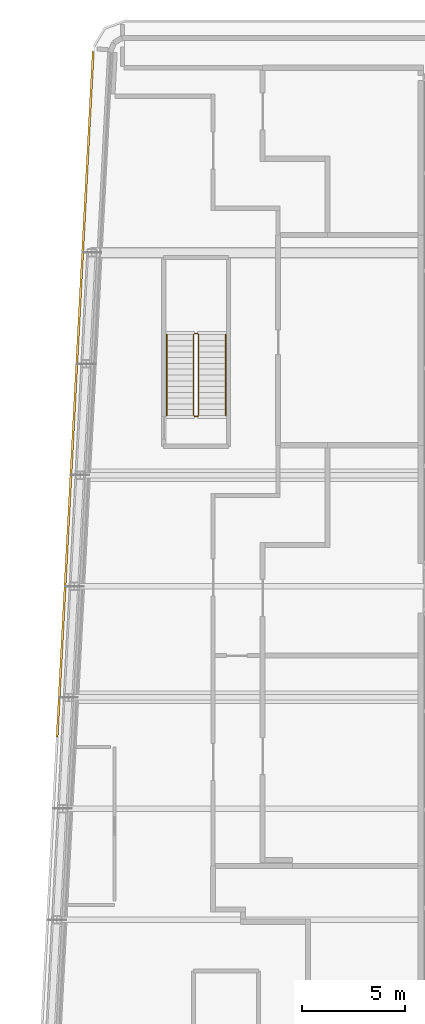
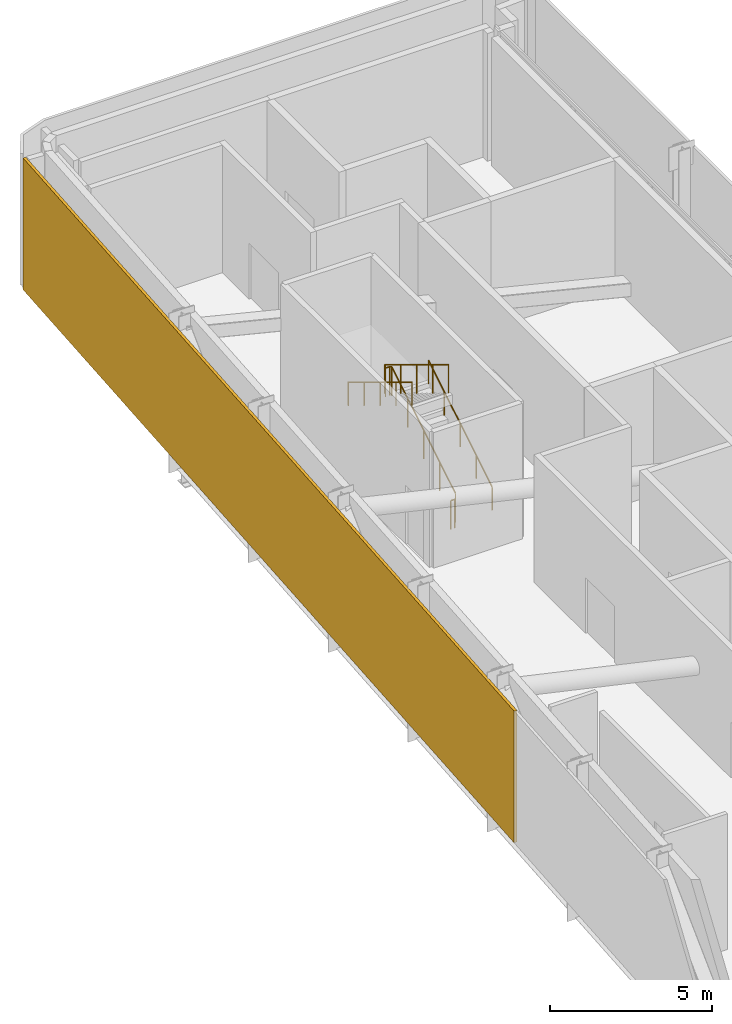
# One storey, part 22 of 23: 4 railings, 1 shading device.
"""IFC4 building model written with IfcOpenShell, lengths in metres."""

import ifcopenshell
import ifcopenshell.guid

model = None  # the IFC model being written
_history = None  # IfcOwnerHistory: only IFC2X3 demands one
_inside = {}  # id of a spatial element -> (the spatial element, [elements in it])
_under = {}  # id of a project, library or spatial element -> (it, [spatial elements below it])
_declared = {}  # id of a project -> (the project, [libraries it declares])
_typed = {}  # id of a type object -> (the type object, [elements of that type])
_made_of = {}  # id of a material, layer set ... -> (it, [elements and type objects made of it])


def new_model(schema):
    """Start an empty IFC model of exactly this schema.

    Asked for "IFC4X3", IfcOpenShell would pick the latest addendum, in which some entities
    have other attributes; the version numbers below select the first issue.
    IFC2X3 requires an IfcOwnerHistory on every rooted entity: one is made here for all.
    """
    global model, _history
    if schema == "IFC4X3":
        model = ifcopenshell.file(schema_version=(4, 3, 0, 0))
    else:
        model = ifcopenshell.file(schema=schema)
    _inside.clear()
    _under.clear()
    _declared.clear()
    _typed.clear()
    _made_of.clear()
    _history = None
    if model.schema == "IFC2X3":
        org = make("IfcOrganization", Name="unknown")
        user = make(
            "IfcPersonAndOrganization",
            ThePerson=make("IfcPerson", FamilyName="unknown"),
            TheOrganization=org,
        )
        app = make(
            "IfcApplication",
            ApplicationDeveloper=org,
            Version="unknown",
            ApplicationFullName="unknown",
            ApplicationIdentifier="unknown",
        )
        _history = make(
            "IfcOwnerHistory",
            OwningUser=user,
            OwningApplication=app,
            ChangeAction="ADDED",
            CreationDate=0,
        )
    return model


def make(cls, **values):
    """One entity of the class cls with the attributes given. An attribute that is None is left unset."""
    return model.create_entity(
        cls, **{name: value for name, value in values.items() if value is not None}
    )


def rooted(cls, **values):
    """An entity with a GlobalId (a new one), such as an element, a storey or a relation."""
    return make(cls, GlobalId=ifcopenshell.guid.new(), OwnerHistory=_history, **values)


def si_unit(unit_type, name, prefix=None):
    """IfcSIUnit, for example si_unit("LENGTHUNIT", "METRE", prefix="MILLI")."""
    return make("IfcSIUnit", UnitType=unit_type, Prefix=prefix, Name=name)


def assignment(units):
    """IfcUnitAssignment: the units of a project."""
    return None if units is None else make("IfcUnitAssignment", Units=units)


def point(xyz):
    """IfcCartesianPoint."""
    return None if xyz is None else make("IfcCartesianPoint", Coordinates=xyz)


def direction(xyz):
    """IfcDirection."""
    return None if xyz is None else make("IfcDirection", DirectionRatios=xyz)


def frame(location, z_axis=None, x_axis=None):
    """IfcAxis2Placement3D, a coordinate frame: its origin and axes. An axis left out is left unset."""
    return make(
        "IfcAxis2Placement3D",
        Location=point(location),
        Axis=direction(z_axis),
        RefDirection=direction(x_axis),
    )


def frame_2d(location, x_axis=None):
    """IfcAxis2Placement2D, a coordinate frame in the plane: its origin and x axis."""
    return make(
        "IfcAxis2Placement2D", Location=point(location), RefDirection=direction(x_axis)
    )


def origin():
    """The frame at (0, 0, 0) with its axes left unset."""
    return frame((0.0, 0.0, 0.0))


def origin_2d():
    """The frame at (0, 0) in the plane with its x axis left unset."""
    return frame_2d((0.0, 0.0))


def place(relative_to, where):
    """IfcLocalPlacement: puts the frame where relative to a parent placement (None: the world)."""
    return make(
        "IfcLocalPlacement", PlacementRelTo=relative_to, RelativePlacement=where
    )


def context(
    kind, dimensions, precision=None, world=None, true_north=None, identifier=None
):
    """IfcGeometricRepresentationContext, for example the 3D "Model" context."""
    return make(
        "IfcGeometricRepresentationContext",
        ContextIdentifier=identifier,
        ContextType=kind,
        CoordinateSpaceDimension=dimensions,
        Precision=precision,
        WorldCoordinateSystem=world,
        TrueNorth=true_north,
    )


def subcontext(parent, identifier, kind, view, scale=None):
    """IfcGeometricRepresentationSubContext, for example "Body" below "Model"."""
    return make(
        "IfcGeometricRepresentationSubContext",
        ContextIdentifier=identifier,
        ContextType=kind,
        ParentContext=parent,
        TargetScale=scale,
        TargetView=view,
    )


def project(units=None, contexts=None):
    """IfcProject with its units and contexts."""
    return rooted(
        "IfcProject",
        Name="project",
        RepresentationContexts=contexts,
        UnitsInContext=assignment(units),
    )


def spatial(cls, under=None, at=None, **own):
    """A site, building, storey or space (cls), placed at a placement, below another one or the project."""
    s = rooted(cls, ObjectPlacement=at, **own)
    if under is not None:
        _under.setdefault(under.id(), (under, []))[1].append(s)
    return s


def profile(cls, at=None, kind="AREA", **sizes):
    """A parametric profile (cls). Its sizes go by their IFC names, for example OverallWidth=200.0."""
    return make(cls, ProfileType=kind, Position=at, **sizes)


def rectangle(**sizes):
    """IfcRectangleProfileDef."""
    return profile("IfcRectangleProfileDef", **sizes)


def circle(**sizes):
    """IfcCircleProfileDef."""
    return profile("IfcCircleProfileDef", **sizes)


def extrude(swept, where, along, depth):
    """IfcExtrudedAreaSolid: the profile swept, set in the frame where, extruded along a direction by depth."""
    return make(
        "IfcExtrudedAreaSolid",
        SweptArea=swept,
        Position=where,
        ExtrudedDirection=direction(along),
        Depth=depth,
    )


def shape(context_of_items, identifier, shape_type, items):
    """IfcShapeRepresentation: the items that make up one representation, for example the "Body"."""
    return make(
        "IfcShapeRepresentation",
        ContextOfItems=context_of_items,
        RepresentationIdentifier=identifier,
        RepresentationType=shape_type,
        Items=items,
    )


def material(Name=None, Category=None):
    """IfcMaterial."""
    return make("IfcMaterial", Name=Name, Category=Category)


def layer(
    of_material, thickness, ventilated=None, Name=None, Category=None, Priority=None
):
    """IfcMaterialLayer: one layer of a wall or slab, of a material (None: an air gap)."""
    return make(
        "IfcMaterialLayer",
        Material=of_material,
        LayerThickness=thickness,
        IsVentilated=ventilated,
        Name=Name,
        Category=Category,
        Priority=Priority,
    )


def layer_set(layers, Name=None):
    """IfcMaterialLayerSet."""
    return make("IfcMaterialLayerSet", MaterialLayers=layers, LayerSetName=Name)


def made_of(thing, what):
    """Note that an element or type object is made of a material, layer set ...; save() writes the relation."""
    if what is not None:
        _made_of.setdefault(what.id(), (what, []))[1].append(thing)
    return thing


def type_object(cls, material=None, **own):
    """A type object (cls), such as IfcWallType, which elements share."""
    return made_of(rooted(cls, **own), material)


def element(
    cls,
    number,
    at=None,
    inside=None,
    cuts=None,
    type_object=None,
    material=None,
    context=None,
    identifier="Body",
    shape_type=None,
    held_by="IfcProductDefinitionShape",
    body=None,
    shapes=None,
    **own,
):
    """One element of the class cls, such as IfcWall. Its Tag is "e" and its number.

    at: its placement. inside: the storey or other place that contains it. cuts: it is an
    opening in that element (IfcRelVoidsElement). A single representation is given by context,
    identifier, shape_type and body (its items); several are given by shapes. held_by: the class
    of the entity that holds the representations. save() writes the other relations.
    """
    e = rooted(cls, Tag="e%d" % number, ObjectPlacement=at, **own)
    if body is not None:
        shapes = [shape(context, identifier, shape_type, body)]
    if shapes is not None:
        e.Representation = make(held_by, Representations=shapes)
    if inside is not None:
        _inside.setdefault(inside.id(), (inside, []))[1].append(e)
    if cuts is not None:
        rooted(
            "IfcRelVoidsElement", RelatingBuildingElement=cuts, RelatedOpeningElement=e
        )
    if type_object is not None:
        _typed.setdefault(type_object.id(), (type_object, []))[1].append(e)
    return made_of(e, material)


def aggregate(whole, parts):
    """IfcRelAggregates: a whole, such as a stair, and the parts it consists of."""
    return rooted("IfcRelAggregates", RelatingObject=whole, RelatedObjects=parts)


def save(model, path):
    """Write the relations noted so far, then the file.

    IfcRelAggregates (storeys below a building ...), IfcRelContainedInSpatialStructure (elements
    in a storey), IfcRelDefinesByType, IfcRelAssociatesMaterial and IfcRelDeclares: one each for
    every whole, place, type object, material and project.
    """
    for whole, parts in _under.values():
        aggregate(whole, parts)
    for where, things in _inside.values():
        rooted(
            "IfcRelContainedInSpatialStructure",
            RelatedElements=things,
            RelatingStructure=where,
        )
    for kind, things in _typed.values():
        rooted("IfcRelDefinesByType", RelatedObjects=things, RelatingType=kind)
    for what, things in _made_of.values():
        rooted("IfcRelAssociatesMaterial", RelatedObjects=things, RelatingMaterial=what)
    for by, libraries in _declared.values():
        rooted("IfcRelDeclares", RelatingContext=by, RelatedDefinitions=libraries)
    model.write(path)


model = new_model("IFC4")

# Units and contexts
model_context = context("Model", 3, precision=1e-05, world=origin(), true_north=direction((0.0, 1.0)))
body_context = subcontext(model_context, "Body", "Model", "MODEL_VIEW")
ifc_project = project(units=[si_unit("LENGTHUNIT", "METRE"), si_unit("AREAUNIT", "SQUARE_METRE"), si_unit("VOLUMEUNIT", "CUBIC_METRE"), si_unit("PLANEANGLEUNIT", "RADIAN"), si_unit("MASSUNIT", "GRAM", prefix="KILO")], contexts=[model_context])

# Site, building, storey
site_placement = place(None, origin())
site = spatial("IfcSite", under=ifc_project, at=site_placement, CompositionType="ELEMENT")
building_placement = place(site_placement, origin())
building = spatial("IfcBuilding", under=site, at=building_placement, Name="Kheshtan School and Residences Tower", CompositionType="ELEMENT")
storey_placement = place(building_placement, frame((0.0, 0.0, 211.10009765625)))
storey = spatial("IfcBuildingStorey", under=building, at=storey_placement, Name="L49", CompositionType="ELEMENT", Elevation=211.10009765625)

# Shading device
ifc_material_1 = material(Name="Terracotta louvre blades", Category="masonry")
ifc_layer = layer(ifc_material_1, 0.10009765625)
ifc_layer_set = layer_set([ifc_layer], Name="Plant louvre screen")
shading_device_type = type_object("IfcShadingDeviceType", Name="Plant louvre screen", PredefinedType="JALOUSIE", material=ifc_layer_set)
shading_device_placement = place(storey_placement, frame((28.9990234375, 81.93408203125, 0.0), z_axis=(0.0, 0.0, 1.0), x_axis=(0.052562536748, 0.998617634398, 0.0)))
element("IfcShadingDevice", 1, at=shading_device_placement, inside=storey, type_object=shading_device_type, Name="Screen L49 7", PredefinedType="JALOUSIE", context=body_context, shape_type="SweptSolid", body=[
    extrude(rectangle(XDim=33.341064453125, YDim=0.10009765625, at=origin_2d()), origin(), (0.0, 0.0, 1.0), 4.949951171875),
])

# Railings
ifc_material_2 = material(Name="Stainless steel balustrade", Category="steel")
railing_type_1 = type_object("IfcRailingType", Name="Stair guard 1100", PredefinedType="GUARDRAIL", material=ifc_material_2)
railing_1_placement = place(storey_placement, frame((35.0, 80.89990234375, 0.169921875)))
element("IfcRailing", 2, at=railing_1_placement, inside=storey, type_object=railing_type_1, Name="L49 ST3 stair guard 1", PredefinedType="GUARDRAIL", context=body_context, shape_type="SweptSolid", body=[
    extrude(circle(Radius=0.02392578125, at=origin_2d()), frame((0.0, 0.0, 1.076171875), z_axis=(0.0, 0.854808600491, 0.518943403973), x_axis=(-1.0, 0.0, 0.0)), (0.0, 0.0, 1.0), 4.5859375),
    extrude(circle(Radius=0.02392578125, at=origin_2d()), frame((0.0, 3.920166015625, 3.4560546875), z_axis=(-0.707106781187, 0.707106781187, 0.0), x_axis=(-0.707106781187, -0.707106781187, 0.0)), (0.0, 0.0, 1.0), 0.07080078125),
    extrude(circle(Radius=0.02392578125, at=origin_2d()), frame((-0.050048828125, 3.97021484375, 3.4560546875), z_axis=(-1.0, 0.0, 0.0), x_axis=(0.0, -1.0, 0.0)), (0.0, 0.0, 1.0), 0.14990234375),
    extrude(circle(Radius=0.02392578125, at=origin_2d()), frame((-0.199951171875, 3.97021484375, 3.4560546875), z_axis=(-0.271562723297, -0.271562723297, 0.923313259209), x_axis=(0.707106781187, -0.707106781187, 0.0)), (0.0, 0.0, 1.0), 0.184326171875),
    extrude(circle(Radius=0.02392578125, at=origin_2d()), frame((-0.25, 3.920166015625, 3.6259765625), z_axis=(0.0, -0.854808600491, 0.518943403973), x_axis=(1.0, 0.0, 0.0)), (0.0, 0.0, 1.0), 4.5859375),
    extrude(circle(Radius=0.02099609375, at=origin_2d()), origin(), (0.0, 0.0, 1.0), 1.052001953125),
    extrude(circle(Radius=0.02099609375, at=origin_2d()), frame((0.0, 0.97998046875, 0.594970703125)), (0.0, 0.0, 1.0), 1.052001953125),
    extrude(circle(Radius=0.02099609375, at=origin_2d()), frame((0.0, 1.9599609375, 1.18994140625)), (0.0, 0.0, 1.0), 1.052001953125),
    extrude(circle(Radius=0.02099609375, at=origin_2d()), frame((0.0, 2.940185546875, 1.784912109375)), (0.0, 0.0, 1.0), 1.052001953125),
    extrude(circle(Radius=0.02099609375, at=origin_2d()), frame((0.0, 3.920166015625, 2.3798828125)), (0.0, 0.0, 1.0), 1.052001953125),
    extrude(circle(Radius=0.02099609375, at=origin_2d()), frame((-0.050048828125, 3.97021484375, 2.3798828125)), (0.0, 0.0, 1.0), 1.052001953125),
    extrude(circle(Radius=0.02099609375, at=origin_2d()), frame((-0.199951171875, 3.97021484375, 2.3798828125)), (0.0, 0.0, 1.0), 1.052001953125),
    extrude(circle(Radius=0.02099609375, at=origin_2d()), frame((-0.25, 3.920166015625, 2.550048828125)), (0.0, 0.0, 1.0), 1.052001953125),
    extrude(circle(Radius=0.02099609375, at=origin_2d()), frame((-0.25, 2.940185546875, 3.14501953125)), (0.0, 0.0, 1.0), 1.052001953125),
    extrude(circle(Radius=0.02099609375, at=origin_2d()), frame((-0.25, 1.9599609375, 3.739990234375)), (0.0, 0.0, 1.0), 1.052001953125),
    extrude(circle(Radius=0.02099609375, at=origin_2d()), frame((-0.25, 0.97998046875, 4.3349609375)), (0.0, 0.0, 1.0), 1.052001953125),
    extrude(circle(Radius=0.02099609375, at=origin_2d()), frame((-0.25, 0.0, 4.929931640625)), (0.0, 0.0, 1.0), 1.052001953125),
])
railing_2_placement = place(storey_placement, frame((34.949951171875, 80.85009765625, 0.0)))
element("IfcRailing", 3, at=railing_2_placement, inside=storey, type_object=railing_type_1, Name="L49 ST3 stair guard 2", PredefinedType="GUARDRAIL", context=body_context, shape_type="SweptSolid", body=[
    extrude(circle(Radius=0.02392578125, at=origin_2d()), frame((0.0, 0.0, 1.076171875), z_axis=(-1.0, 0.0, 0.0), x_axis=(0.0, -1.0, 0.0)), (0.0, 0.0, 1.0), 0.14990234375),
    extrude(circle(Radius=0.02099609375, at=origin_2d()), origin(), (0.0, 0.0, 1.0), 1.052001953125),
    extrude(circle(Radius=0.02099609375, at=origin_2d()), frame((-0.14990234375, 0.0, 0.0)), (0.0, 0.0, 1.0), 1.052001953125),
])
ifc_material_3 = material(Name="Stainless steel handrail", Category="steel")
railing_type_2 = type_object("IfcRailingType", Name="Stair handrail 900", PredefinedType="HANDRAIL", material=ifc_material_3)
railing_3_placement = place(storey_placement, frame((36.300048828125, 80.89990234375, 0.169921875)))
element("IfcRailing", 4, at=railing_3_placement, inside=storey, type_object=railing_type_2, Name="L49 ST3 stair handrail 1", PredefinedType="HANDRAIL", context=body_context, shape_type="SweptSolid", body=[
    extrude(circle(Radius=0.02392578125, at=origin_2d()), frame((0.0, 0.0, 0.8759765625), z_axis=(0.0, 0.854808600491, 0.518943403973), x_axis=(-1.0, 0.0, 0.0)), (0.0, 0.0, 1.0), 4.5859375),
    extrude(circle(Radius=0.02099609375, at=origin_2d()), origin(), (0.0, 0.0, 1.0), 0.851806640625),
    extrude(circle(Radius=0.02099609375, at=origin_2d()), frame((0.0, 0.97998046875, 0.594970703125)), (0.0, 0.0, 1.0), 0.851806640625),
    extrude(circle(Radius=0.02099609375, at=origin_2d()), frame((0.0, 1.9599609375, 1.18994140625)), (0.0, 0.0, 1.0), 0.851806640625),
    extrude(circle(Radius=0.02099609375, at=origin_2d()), frame((0.0, 2.940185546875, 1.784912109375)), (0.0, 0.0, 1.0), 0.851806640625),
    extrude(circle(Radius=0.02099609375, at=origin_2d()), frame((0.0, 3.920166015625, 2.3798828125)), (0.0, 0.0, 1.0), 0.851806640625),
])
railing_4_placement = place(storey_placement, frame((33.449951171875, 84.820068359375, 2.719970703125)))
element("IfcRailing", 5, at=railing_4_placement, inside=storey, type_object=railing_type_2, Name="L49 ST3 stair handrail 2", PredefinedType="HANDRAIL", context=body_context, shape_type="SweptSolid", body=[
    extrude(circle(Radius=0.02392578125, at=origin_2d()), frame((0.0, 0.0, 0.8759765625), z_axis=(0.0, -0.854808600491, 0.518943403973), x_axis=(1.0, 0.0, 0.0)), (0.0, 0.0, 1.0), 4.5859375),
    extrude(circle(Radius=0.02099609375, at=origin_2d()), origin(), (0.0, 0.0, 1.0), 0.851806640625),
    extrude(circle(Radius=0.02099609375, at=origin_2d()), frame((0.0, -0.97998046875, 0.594970703125)), (0.0, 0.0, 1.0), 0.851806640625),
    extrude(circle(Radius=0.02099609375, at=origin_2d()), frame((0.0, -1.9599609375, 1.18994140625)), (0.0, 0.0, 1.0), 0.851806640625),
    extrude(circle(Radius=0.02099609375, at=origin_2d()), frame((0.0, -2.940185546875, 1.784912109375)), (0.0, 0.0, 1.0), 0.851806640625),
    extrude(circle(Radius=0.02099609375, at=origin_2d()), frame((0.0, -3.920166015625, 2.3798828125)), (0.0, 0.0, 1.0), 0.851806640625),
])

save(model, "model.ifc")
